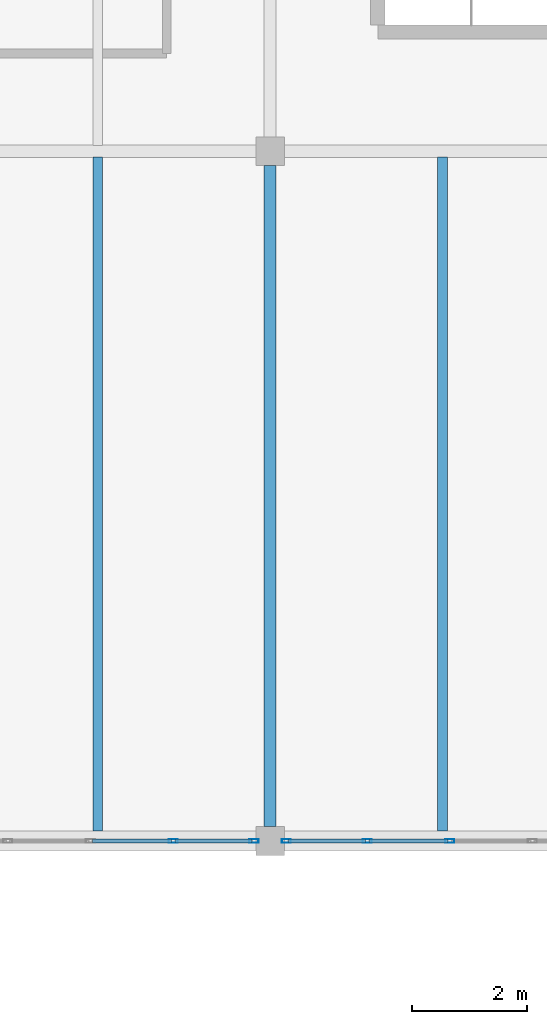
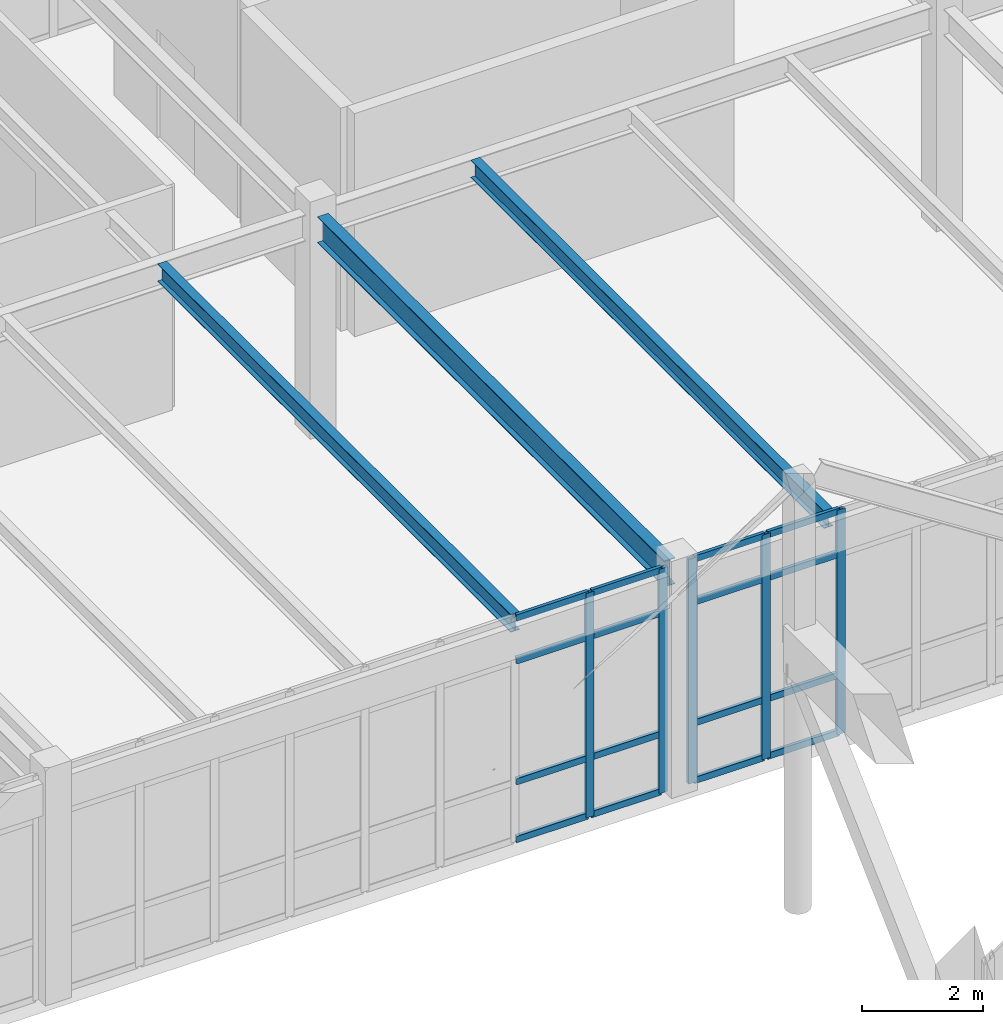
# One storey, part 103 of 236: 21 members, 3 beams, 2 elements without a shape of their own.
"""IFC4 building model written with IfcOpenShell, lengths in metres."""

from ifc_helpers import new_model, si_unit, direction, frame, origin, origin_2d, place, context, subcontext, project, spatial, hollow_rectangle, i_section, extrude, material, layer, layer_set, material_profile, profile_set, type_object, element, aggregate, save


model = new_model("IFC4")

# Units and contexts
model_context = context("Model", 3, precision=1e-05, world=origin(), true_north=direction((0.0, 1.0)))
body_context = subcontext(model_context, "Body", "Model", "MODEL_VIEW")
ifc_project = project(units=[si_unit("LENGTHUNIT", "METRE"), si_unit("AREAUNIT", "SQUARE_METRE"), si_unit("VOLUMEUNIT", "CUBIC_METRE"), si_unit("PLANEANGLEUNIT", "RADIAN"), si_unit("MASSUNIT", "GRAM", prefix="KILO")], contexts=[model_context])

# Site, building, storey
site_placement = place(None, origin())
site = spatial("IfcSite", under=ifc_project, at=site_placement, CompositionType="ELEMENT")
building_placement = place(site_placement, origin())
building = spatial("IfcBuilding", under=site, at=building_placement, Name="Pandanus Reach Market Hall", CompositionType="ELEMENT")
storey_placement = place(building_placement, frame((0.0, 0.0, 5.39990234375)))
storey = spatial("IfcBuildingStorey", under=building, at=storey_placement, Name="L01", CompositionType="ELEMENT", Elevation=5.39990234375)

# Beam
ifc_material_1 = material(Name="Steel Grade 350 (350 MPa)", Category="steel")
ifc_material_profile_1 = material_profile(ifc_material_1, i_section(OverallWidth=0.208984375, OverallDepth=0.532958984375, WebThickness=0.01025390625, FlangeThickness=0.015625, at=origin_2d()), Name="530UB92.4", Category="LoadBearing")
ifc_profile_set_1 = profile_set([ifc_material_profile_1], Name="Steel Grade 350 (350 MPa)")
beam_type_1 = type_object("IfcBeamType", Name="BM-UB530-I", PredefinedType="BEAM", material=ifc_profile_set_1)
beam_placement = place(storey_placement, frame((108.0, 96.248046875, 4.193115234375), z_axis=(0.0, 1.0, 0.0), x_axis=(-1.0, 0.0, 0.0)))
element("IfcBeam", 1, at=beam_placement, inside=storey, type_object=beam_type_1, Name="Framing beam BM-UB530-I L01.877", PredefinedType="BEAM", context=body_context, shape_type="SweptSolid", body=[
    extrude(i_section(OverallWidth=0.208984375, OverallDepth=0.532958984375, WebThickness=0.01025390625, FlangeThickness=0.015625, at=origin_2d()), origin(), (0.0, 0.0, 1.0), 11.50390625),
])

# Curtain wall, members
ifc_material_2 = material(Name="Bronze anodised aluminium and low-E glass", Category="aluminium")
ifc_layer = layer(ifc_material_2, 0.159912109375, Name="CW-38")
ifc_layer_set = layer_set([ifc_layer], Name="Bronze anodised aluminium and low-E glass")
curtain_wall_type = type_object("IfcCurtainWallType", Name="CW-38", PredefinedType="NOTDEFINED", material=ifc_layer_set)
curtain_wall_1_placement = place(storey_placement, origin())
curtain_wall_1 = element("IfcCurtainWall", 2, at=curtain_wall_1_placement, inside=storey, type_object=curtain_wall_type, Name="Glazed curtain wall CW-38 CW-0140", PredefinedType="NOTDEFINED")
ifc_material_3 = material(Name="Bronze anodised aluminium", Category="aluminium")
ifc_material_profile_2 = material_profile(ifc_material_3, hollow_rectangle(XDim=0.06494140625, YDim=0.159912109375, WallThickness=0.00390625, at=origin_2d()), Name="ALU65x160", Category="LoadBearing")
ifc_profile_set_2 = profile_set([ifc_material_profile_2], Name="Bronze anodised aluminium")
member_type_1 = type_object("IfcMemberType", Name="CW-M1", PredefinedType="MULLION", material=ifc_profile_set_2)
member_1_placement = place(storey_placement, frame((106.3125, 96.0, 0.0), z_axis=(0.0, 0.0, 1.0), x_axis=(0.0, 1.0, 0.0)))
member_1 = element("IfcMember", 3, at=member_1_placement, type_object=member_type_1, Name="CW-38 mullion 8", PredefinedType="MULLION", context=body_context, shape_type="SweptSolid", body=[
    extrude(hollow_rectangle(XDim=0.06494140625, YDim=0.159912109375, WallThickness=0.00390625, at=origin_2d()), origin(), (0.0, 0.0, 1.0), 4.550048828125),
])
member_2_placement = place(storey_placement, frame((107.717529296875, 96.0, 0.0), z_axis=(0.0, 0.0, 1.0), x_axis=(0.0, 1.0, 0.0)))
member_2 = element("IfcMember", 4, at=member_2_placement, type_object=member_type_1, Name="CW-38 mullion 9", PredefinedType="MULLION", context=body_context, shape_type="SweptSolid", body=[
    extrude(hollow_rectangle(XDim=0.06494140625, YDim=0.159912109375, WallThickness=0.00390625, at=origin_2d()), origin(), (0.0, 0.0, 1.0), 4.550048828125),
])

curtain_wall_2_placement = place(storey_placement, origin())
curtain_wall_2 = element("IfcCurtainWall", 5, at=curtain_wall_2_placement, inside=storey, type_object=curtain_wall_type, Name="Glazed curtain wall CW-38 CW-0141", PredefinedType="NOTDEFINED")
member_3_placement = place(storey_placement, frame((108.282470703125, 96.0, 0.0), z_axis=(0.0, 0.0, 1.0), x_axis=(0.0, 1.0, 0.0)))
member_3 = element("IfcMember", 6, at=member_3_placement, type_object=member_type_1, Name="CW-38 mullion 1", PredefinedType="MULLION", context=body_context, shape_type="SweptSolid", body=[
    extrude(hollow_rectangle(XDim=0.06494140625, YDim=0.159912109375, WallThickness=0.00390625, at=origin_2d()), origin(), (0.0, 0.0, 1.0), 4.550048828125),
])
member_4_placement = place(storey_placement, frame((109.6875, 96.0, 0.0), z_axis=(0.0, 0.0, 1.0), x_axis=(0.0, 1.0, 0.0)))
member_4 = element("IfcMember", 7, at=member_4_placement, type_object=member_type_1, Name="CW-38 mullion 2", PredefinedType="MULLION", context=body_context, shape_type="SweptSolid", body=[
    extrude(hollow_rectangle(XDim=0.06494140625, YDim=0.159912109375, WallThickness=0.00390625, at=origin_2d()), origin(), (0.0, 0.0, 1.0), 4.550048828125),
])
member_5_placement = place(storey_placement, frame((111.125, 96.0, 0.0), z_axis=(0.0, 0.0, 1.0), x_axis=(0.0, 1.0, 0.0)))
member_5 = element("IfcMember", 8, at=member_5_placement, type_object=member_type_1, Name="CW-38 mullion 3", PredefinedType="MULLION", context=body_context, shape_type="SweptSolid", body=[
    extrude(hollow_rectangle(XDim=0.06494140625, YDim=0.159912109375, WallThickness=0.00390625, at=origin_2d()), origin(), (0.0, 0.0, 1.0), 4.550048828125),
])

# Member
ifc_material_profile_3 = material_profile(ifc_material_3, hollow_rectangle(XDim=0.06494140625, YDim=0.1298828125, WallThickness=0.00390625, at=origin_2d()), Name="ALU65x130", Category="LoadBearing")
ifc_profile_set_3 = profile_set([ifc_material_profile_3], Name="Bronze anodised aluminium")
member_type_2 = type_object("IfcMemberType", Name="CW-T1", PredefinedType="USERDEFINED", material=ifc_profile_set_3)
member_6_placement = place(storey_placement, frame((104.907470703125, 96.0, 0.03271484375), z_axis=(1.0, 0.0, 0.0), x_axis=(0.0, 1.0, 0.0)))
member_6 = element("IfcMember", 9, at=member_6_placement, type_object=member_type_2, Name="CW-38 transom 7.1", ObjectType="TRANSOM", PredefinedType="USERDEFINED", context=body_context, shape_type="SweptSolid", body=[
    extrude(hollow_rectangle(XDim=0.06494140625, YDim=0.1298828125, WallThickness=0.00390625, at=origin_2d()), origin(), (0.0, 0.0, 1.0), 1.37255859375),
])

member_7_placement = place(storey_placement, frame((104.907470703125, 96.0, 1.2001953125), z_axis=(1.0, 0.0, 0.0), x_axis=(0.0, 1.0, 0.0)))
member_7 = element("IfcMember", 10, at=member_7_placement, type_object=member_type_2, Name="CW-38 transom 7.2", ObjectType="TRANSOM", PredefinedType="USERDEFINED", context=body_context, shape_type="SweptSolid", body=[
    extrude(hollow_rectangle(XDim=0.06494140625, YDim=0.1298828125, WallThickness=0.00390625, at=origin_2d()), origin(), (0.0, 0.0, 1.0), 1.37255859375),
])

member_8_placement = place(storey_placement, frame((104.907470703125, 96.0, 3.650146484375), z_axis=(1.0, 0.0, 0.0), x_axis=(0.0, 1.0, 0.0)))
member_8 = element("IfcMember", 11, at=member_8_placement, type_object=member_type_2, Name="CW-38 transom 7.3", ObjectType="TRANSOM", PredefinedType="USERDEFINED", context=body_context, shape_type="SweptSolid", body=[
    extrude(hollow_rectangle(XDim=0.06494140625, YDim=0.1298828125, WallThickness=0.00390625, at=origin_2d()), origin(), (0.0, 0.0, 1.0), 1.37255859375),
])

member_9_placement = place(storey_placement, frame((104.907470703125, 96.0, 4.517578125), z_axis=(1.0, 0.0, 0.0), x_axis=(0.0, 1.0, 0.0)))
member_9 = element("IfcMember", 12, at=member_9_placement, type_object=member_type_2, Name="CW-38 transom 7.4", ObjectType="TRANSOM", PredefinedType="USERDEFINED", context=body_context, shape_type="SweptSolid", body=[
    extrude(hollow_rectangle(XDim=0.06494140625, YDim=0.1298828125, WallThickness=0.00390625, at=origin_2d()), origin(), (0.0, 0.0, 1.0), 1.37255859375),
])

member_10_placement = place(storey_placement, frame((106.344970703125, 96.0, 0.03271484375), z_axis=(1.0, 0.0, 0.0), x_axis=(0.0, 1.0, 0.0)))
member_10 = element("IfcMember", 13, at=member_10_placement, type_object=member_type_2, Name="CW-38 transom 8.1", ObjectType="TRANSOM", PredefinedType="USERDEFINED", context=body_context, shape_type="SweptSolid", body=[
    extrude(hollow_rectangle(XDim=0.06494140625, YDim=0.1298828125, WallThickness=0.00390625, at=origin_2d()), origin(), (0.0, 0.0, 1.0), 1.340087890625),
])

member_11_placement = place(storey_placement, frame((106.344970703125, 96.0, 1.2001953125), z_axis=(1.0, 0.0, 0.0), x_axis=(0.0, 1.0, 0.0)))
member_11 = element("IfcMember", 14, at=member_11_placement, type_object=member_type_2, Name="CW-38 transom 8.2", ObjectType="TRANSOM", PredefinedType="USERDEFINED", context=body_context, shape_type="SweptSolid", body=[
    extrude(hollow_rectangle(XDim=0.06494140625, YDim=0.1298828125, WallThickness=0.00390625, at=origin_2d()), origin(), (0.0, 0.0, 1.0), 1.340087890625),
])

member_12_placement = place(storey_placement, frame((106.344970703125, 96.0, 3.650146484375), z_axis=(1.0, 0.0, 0.0), x_axis=(0.0, 1.0, 0.0)))
member_12 = element("IfcMember", 15, at=member_12_placement, type_object=member_type_2, Name="CW-38 transom 8.3", ObjectType="TRANSOM", PredefinedType="USERDEFINED", context=body_context, shape_type="SweptSolid", body=[
    extrude(hollow_rectangle(XDim=0.06494140625, YDim=0.1298828125, WallThickness=0.00390625, at=origin_2d()), origin(), (0.0, 0.0, 1.0), 1.340087890625),
])

member_13_placement = place(storey_placement, frame((106.344970703125, 96.0, 4.517578125), z_axis=(1.0, 0.0, 0.0), x_axis=(0.0, 1.0, 0.0)))
member_13 = element("IfcMember", 16, at=member_13_placement, type_object=member_type_2, Name="CW-38 transom 8.4", ObjectType="TRANSOM", PredefinedType="USERDEFINED", context=body_context, shape_type="SweptSolid", body=[
    extrude(hollow_rectangle(XDim=0.06494140625, YDim=0.1298828125, WallThickness=0.00390625, at=origin_2d()), origin(), (0.0, 0.0, 1.0), 1.340087890625),
])

aggregate(curtain_wall_1, [member_1, member_2, member_6, member_7, member_8, member_9, member_10, member_11, member_12, member_13])

member_14_placement = place(storey_placement, frame((108.31494140625, 96.0, 0.03271484375), z_axis=(1.0, 0.0, 0.0), x_axis=(0.0, 1.0, 0.0)))
member_14 = element("IfcMember", 17, at=member_14_placement, type_object=member_type_2, Name="CW-38 transom 1.1", ObjectType="TRANSOM", PredefinedType="USERDEFINED", context=body_context, shape_type="SweptSolid", body=[
    extrude(hollow_rectangle(XDim=0.06494140625, YDim=0.1298828125, WallThickness=0.00390625, at=origin_2d()), origin(), (0.0, 0.0, 1.0), 1.340087890625),
])

member_15_placement = place(storey_placement, frame((108.31494140625, 96.0, 1.2001953125), z_axis=(1.0, 0.0, 0.0), x_axis=(0.0, 1.0, 0.0)))
member_15 = element("IfcMember", 18, at=member_15_placement, type_object=member_type_2, Name="CW-38 transom 1.2", ObjectType="TRANSOM", PredefinedType="USERDEFINED", context=body_context, shape_type="SweptSolid", body=[
    extrude(hollow_rectangle(XDim=0.06494140625, YDim=0.1298828125, WallThickness=0.00390625, at=origin_2d()), origin(), (0.0, 0.0, 1.0), 1.340087890625),
])

member_16_placement = place(storey_placement, frame((108.31494140625, 96.0, 3.650146484375), z_axis=(1.0, 0.0, 0.0), x_axis=(0.0, 1.0, 0.0)))
member_16 = element("IfcMember", 19, at=member_16_placement, type_object=member_type_2, Name="CW-38 transom 1.3", ObjectType="TRANSOM", PredefinedType="USERDEFINED", context=body_context, shape_type="SweptSolid", body=[
    extrude(hollow_rectangle(XDim=0.06494140625, YDim=0.1298828125, WallThickness=0.00390625, at=origin_2d()), origin(), (0.0, 0.0, 1.0), 1.340087890625),
])

member_17_placement = place(storey_placement, frame((108.31494140625, 96.0, 4.517578125), z_axis=(1.0, 0.0, 0.0), x_axis=(0.0, 1.0, 0.0)))
member_17 = element("IfcMember", 20, at=member_17_placement, type_object=member_type_2, Name="CW-38 transom 1.4", ObjectType="TRANSOM", PredefinedType="USERDEFINED", context=body_context, shape_type="SweptSolid", body=[
    extrude(hollow_rectangle(XDim=0.06494140625, YDim=0.1298828125, WallThickness=0.00390625, at=origin_2d()), origin(), (0.0, 0.0, 1.0), 1.340087890625),
])

member_18_placement = place(storey_placement, frame((109.719970703125, 96.0, 0.03271484375), z_axis=(1.0, 0.0, 0.0), x_axis=(0.0, 1.0, 0.0)))
member_18 = element("IfcMember", 21, at=member_18_placement, type_object=member_type_2, Name="CW-38 transom 2.1", ObjectType="TRANSOM", PredefinedType="USERDEFINED", context=body_context, shape_type="SweptSolid", body=[
    extrude(hollow_rectangle(XDim=0.06494140625, YDim=0.1298828125, WallThickness=0.00390625, at=origin_2d()), origin(), (0.0, 0.0, 1.0), 1.37255859375),
])

member_19_placement = place(storey_placement, frame((109.719970703125, 96.0, 1.2001953125), z_axis=(1.0, 0.0, 0.0), x_axis=(0.0, 1.0, 0.0)))
member_19 = element("IfcMember", 22, at=member_19_placement, type_object=member_type_2, Name="CW-38 transom 2.2", ObjectType="TRANSOM", PredefinedType="USERDEFINED", context=body_context, shape_type="SweptSolid", body=[
    extrude(hollow_rectangle(XDim=0.06494140625, YDim=0.1298828125, WallThickness=0.00390625, at=origin_2d()), origin(), (0.0, 0.0, 1.0), 1.37255859375),
])

member_20_placement = place(storey_placement, frame((109.719970703125, 96.0, 3.650146484375), z_axis=(1.0, 0.0, 0.0), x_axis=(0.0, 1.0, 0.0)))
member_20 = element("IfcMember", 23, at=member_20_placement, type_object=member_type_2, Name="CW-38 transom 2.3", ObjectType="TRANSOM", PredefinedType="USERDEFINED", context=body_context, shape_type="SweptSolid", body=[
    extrude(hollow_rectangle(XDim=0.06494140625, YDim=0.1298828125, WallThickness=0.00390625, at=origin_2d()), origin(), (0.0, 0.0, 1.0), 1.37255859375),
])

member_21_placement = place(storey_placement, frame((109.719970703125, 96.0, 4.517578125), z_axis=(1.0, 0.0, 0.0), x_axis=(0.0, 1.0, 0.0)))
member_21 = element("IfcMember", 24, at=member_21_placement, type_object=member_type_2, Name="CW-38 transom 2.4", ObjectType="TRANSOM", PredefinedType="USERDEFINED", context=body_context, shape_type="SweptSolid", body=[
    extrude(hollow_rectangle(XDim=0.06494140625, YDim=0.1298828125, WallThickness=0.00390625, at=origin_2d()), origin(), (0.0, 0.0, 1.0), 1.37255859375),
])

aggregate(curtain_wall_2, [member_3, member_4, member_5, member_14, member_15, member_16, member_17, member_18, member_19, member_20, member_21])

# Beams
ifc_material_profile_4 = material_profile(ifc_material_1, i_section(OverallWidth=0.1708984375, OverallDepth=0.35595703125, WebThickness=0.00732421875, FlangeThickness=0.011474609375, at=origin_2d()), Name="360UB50.7", Category="LoadBearing")
ifc_profile_set_4 = profile_set([ifc_material_profile_4], Name="Steel Grade 350 (350 MPa)")
beam_type_2 = type_object("IfcBeamType", Name="JS-UB360-I", PredefinedType="JOIST", material=ifc_profile_set_4)
for number, where, z_axis, x_axis, name in (
    (25, (105.0, 96.173095703125, 4.28173828125), (0.0, 1.0, 0.0), (-1.0, 0.0, 0.0), "Secondary joist JS-UB360-I L01.902"),
    (26, (111.0, 96.173095703125, 4.28173828125), (0.0, 1.0, 0.0), (-1.0, 0.0, 0.0), "Secondary joist JS-UB360-I L01.906"),
):
    element("IfcBeam", number, at=place(storey_placement, frame(where, z_axis=z_axis, x_axis=x_axis)), inside=storey, type_object=beam_type_2, Name=name, PredefinedType="JOIST", context=body_context, shape_type="SweptSolid", body=[
        extrude(i_section(OverallWidth=0.1708984375, OverallDepth=0.35595703125, WebThickness=0.00732421875, FlangeThickness=0.011474609375, at=origin_2d()), origin(), (0.0, 0.0, 1.0), 11.724365234375),
    ])

save(model, "model.ifc")
